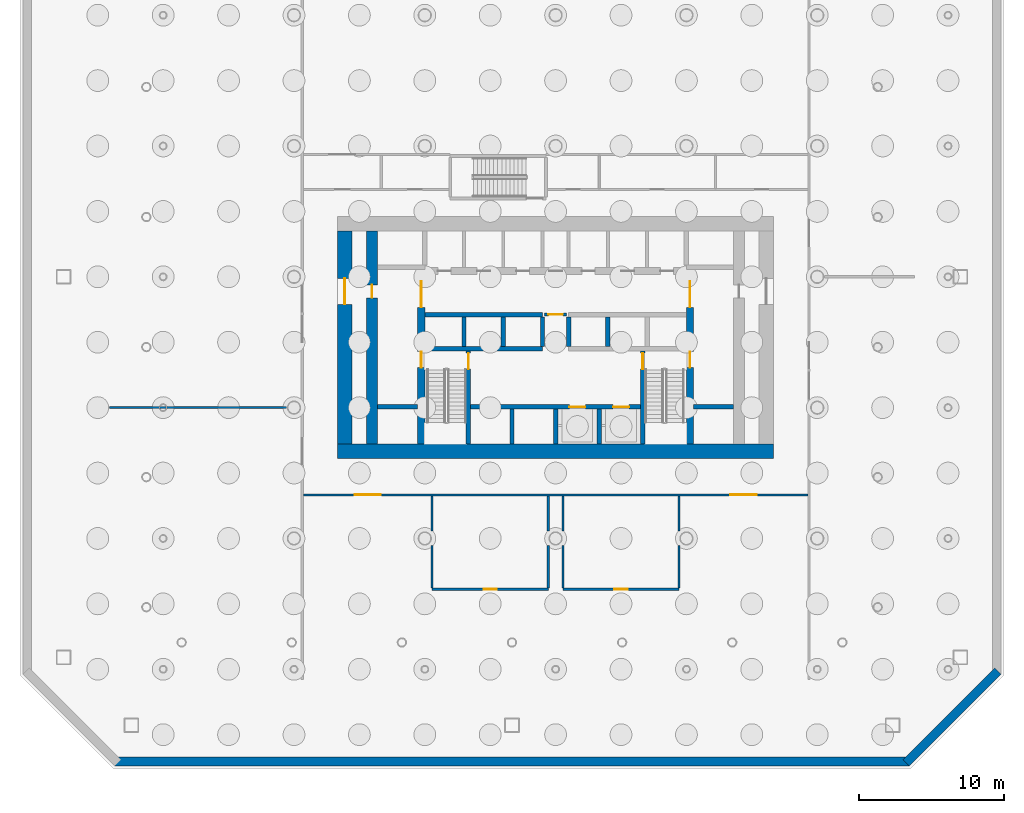
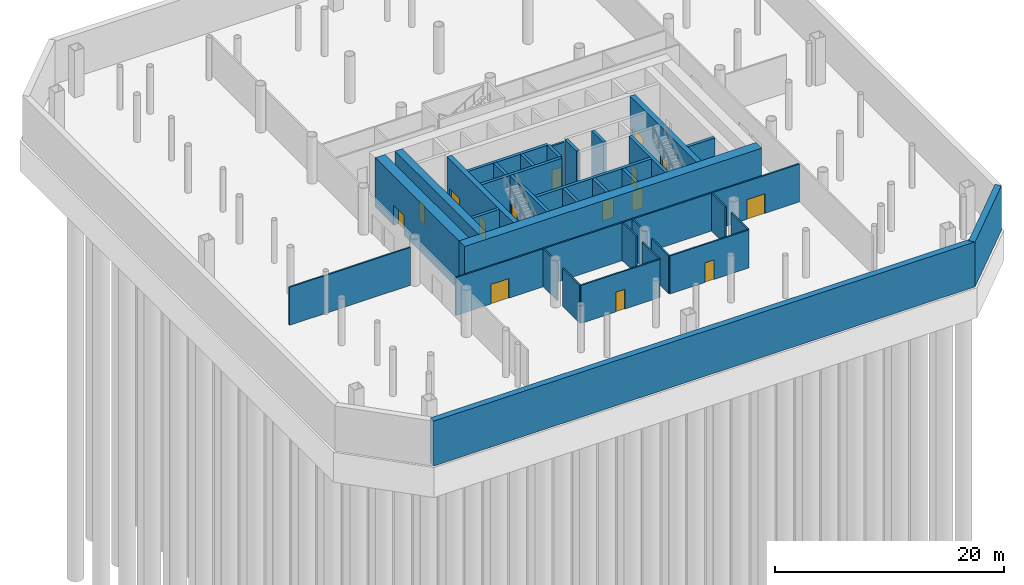
# One storey, part 5 of 10: 35 walls, 15 doors, 15 openings.
"""IFC4 building model written with IfcOpenShell, lengths in metres."""

from ifc_helpers import new_model, si_unit, direction, frame, frame_2d, origin, place, context, subcontext, project, spatial, rectangle, extrude, material, layer, layer_set, type_object, element, fill, save


model = new_model("IFC4")

# Units and contexts
model_context = context("Model", 3, precision=1e-05, world=origin(), true_north=direction((0.0, 1.0)))
body_context = subcontext(model_context, "Body", "Model", "MODEL_VIEW")
ifc_project = project(units=[si_unit("LENGTHUNIT", "METRE"), si_unit("AREAUNIT", "SQUARE_METRE"), si_unit("VOLUMEUNIT", "CUBIC_METRE"), si_unit("PLANEANGLEUNIT", "RADIAN"), si_unit("MASSUNIT", "GRAM", prefix="KILO")], contexts=[model_context])

# Site, building, storey
site_placement = place(None, origin())
site = spatial("IfcSite", under=ifc_project, at=site_placement, CompositionType="ELEMENT")
building_placement = place(site_placement, origin())
building = spatial("IfcBuilding", under=site, at=building_placement, Name="Tskaro Facet Tower", CompositionType="ELEMENT")
storey_placement = place(building_placement, frame((0.0, 0.0, -5.0)))
storey = spatial("IfcBuildingStorey", under=building, at=storey_placement, Name="B1", CompositionType="ELEMENT", Elevation=-5.0)

# Walls
ifc_material_1 = material(Name="Concrete C40/50", Category="concrete")
ifc_layer_1 = layer(ifc_material_1, 0.60009765625, Name="Concrete C40/50")
ifc_layer_set_1 = layer_set([ifc_layer_1], Name="Concrete C40/50")
wall_type_1 = type_object("IfcWallType", Name="Basement retaining wall", PredefinedType="SOLIDWALL", material=ifc_layer_set_1)
wall_1_placement = place(storey_placement, frame((-30.341064453125, -33.35009765625, -0.25), z_axis=(0.0, 0.0, 1.0), x_axis=(1.0, 0.0, 0.0)))
element("IfcWall", 1, at=wall_1_placement, inside=storey, type_object=wall_type_1, Name="Basement retaining wall BW1", PredefinedType="SOLIDWALL", context=body_context, shape_type="SweptSolid", body=[
    extrude(rectangle(XDim=54.68212890625, YDim=0.60009765625, at=frame_2d((27.341064453125, 0.0))), origin(), (0.0, 0.0, 1.0), 4.800048828125),
])
wall_2_placement = place(storey_placement, frame((24.12890625, -33.43798828125, -0.25), z_axis=(0.0, 0.0, 1.0), x_axis=(0.707106781187, 0.707106781187, 0.0)))
element("IfcWall", 2, at=wall_2_placement, inside=storey, type_object=wall_type_1, Name="Basement retaining wall BW2", PredefinedType="SOLIDWALL", context=body_context, shape_type="SweptSolid", body=[
    extrude(rectangle(XDim=8.92236328125, YDim=0.60009765625, at=frame_2d((4.461181640625, 0.0))), origin(), (0.0, 0.0, 1.0), 4.800048828125),
])
ifc_material_2 = material(Name="Concrete C60/75", Category="concrete")
ifc_layer_2 = layer(ifc_material_2, 0.300048828125, Name="Concrete C60/75")
ifc_layer_set_2 = layer_set([ifc_layer_2], Name="Concrete C60/75")
wall_type_2 = type_object("IfcWallType", Name="CORE-SHAFT", PredefinedType="SHEAR", material=ifc_layer_set_2)
wall_3_placement = place(storey_placement, frame((-12.25, -8.949951171875, 0.0), z_axis=(0.0, 0.0, 1.0), x_axis=(1.0, 0.0, 0.0)))
element("IfcWall", 3, at=wall_3_placement, inside=storey, type_object=wall_type_2, Name="Shaft wall W005", PredefinedType="SHEAR", context=body_context, shape_type="SweptSolid", body=[
    extrude(rectangle(XDim=2.75, YDim=0.300048828125, at=frame_2d((1.375, 0.0))), origin(), (0.0, 0.0, 1.0), 5.0),
])

# Wall, openings, doors
wall_4_placement = place(storey_placement, frame((-5.85009765625, -8.949951171875, 0.0), z_axis=(0.0, 0.0, 1.0), x_axis=(1.0, 0.0, 0.0)))
wall_4 = element("IfcWall", 4, at=wall_4_placement, inside=storey, type_object=wall_type_2, Name="Shaft wall W006", PredefinedType="SHEAR", context=body_context, shape_type="SweptSolid", body=[
    extrude(rectangle(XDim=11.7001953125, YDim=0.300048828125, at=frame_2d((5.85009765625, 0.0))), origin(), (0.0, 0.0, 1.0), 5.0),
])
opening_1_placement = place(wall_4_placement, frame((6.800048828125, 0.0, 0.0)))
opening_1 = element("IfcOpeningElement", 5, at=opening_1_placement, cuts=wall_4, Name="Opening LD-SV1", PredefinedType="OPENING", context=body_context, shape_type="SweptSolid", body=[
    extrude(rectangle(XDim=1.10009765625, YDim=2.10009765625, at=frame_2d((0.550048828125, 1.050048828125))), frame((0.0, 0.159912109375, 0.0), z_axis=(0.0, -1.0, 0.0), x_axis=(1.0, 0.0, 0.0)), (0.0, 0.0, 1.0), 0.320068359375),
])
opening_2_placement = place(wall_4_placement, frame((9.800048828125, 0.0, 0.0)))
opening_2 = element("IfcOpeningElement", 6, at=opening_2_placement, cuts=wall_4, Name="Opening LD-SV2", PredefinedType="OPENING", context=body_context, shape_type="SweptSolid", body=[
    extrude(rectangle(XDim=1.10009765625, YDim=2.10009765625, at=frame_2d((0.550048828125, 1.050048828125))), frame((0.0, 0.159912109375, 0.0), z_axis=(0.0, -1.0, 0.0), x_axis=(1.0, 0.0, 0.0)), (0.0, 0.0, 1.0), 0.320068359375),
])
ifc_material_3 = material(Name="Stainless steel", Category="steel")
door_type_1 = type_object("IfcDoorType", Name="D-LANDING", OperationType="NOTDEFINED", PredefinedType="DOOR", material=ifc_material_3)
door_1_placement = place(opening_1_placement, origin())
door_1 = element("IfcDoor", 7, at=door_1_placement, inside=storey, type_object=door_type_1, Name="Landing door SV1", OperationType="DOUBLE_DOOR_SLIDING", OverallHeight=2.10009765625, OverallWidth=1.10009765625, PredefinedType="DOOR", context=body_context, shape_type="SweptSolid", body=[
    extrude(rectangle(XDim=1.10009765625, YDim=2.10009765625, at=frame_2d((0.550048828125, 1.050048828125))), frame((0.0, 0.02490234375, 0.0), z_axis=(0.0, -1.0, 0.0), x_axis=(1.0, 0.0, 0.0)), (0.0, 0.0, 1.0), 0.050048828125),
])
fill(opening_1, door_1)
door_2_placement = place(opening_2_placement, origin())
door_2 = element("IfcDoor", 8, at=door_2_placement, inside=storey, type_object=door_type_1, Name="Landing door SV2", OperationType="DOUBLE_DOOR_SLIDING", OverallHeight=2.10009765625, OverallWidth=1.10009765625, PredefinedType="DOOR", context=body_context, shape_type="SweptSolid", body=[
    extrude(rectangle(XDim=1.10009765625, YDim=2.10009765625, at=frame_2d((0.550048828125, 1.050048828125))), frame((0.0, 0.02490234375, 0.0), z_axis=(0.0, -1.0, 0.0), x_axis=(1.0, 0.0, 0.0)), (0.0, 0.0, 1.0), 0.050048828125),
])
fill(opening_2, door_2)

# Walls
wall_5_placement = place(storey_placement, frame((9.5, -8.949951171875, 0.0), z_axis=(0.0, 0.0, 1.0), x_axis=(1.0, 0.0, 0.0)))
element("IfcWall", 9, at=wall_5_placement, inside=storey, type_object=wall_type_2, Name="Shaft wall W007", PredefinedType="SHEAR", context=body_context, shape_type="SweptSolid", body=[
    extrude(rectangle(XDim=2.75, YDim=0.300048828125, at=frame_2d((1.375, 0.0))), origin(), (0.0, 0.0, 1.0), 5.0),
])
for number, where, z_axis, x_axis, name in (
    (10, (-9.0, -4.949951171875, 0.0), (0.0, 0.0, 1.0), (1.0, 0.0, 0.0), "Shaft wall W008"),
    (11, (-9.0, -2.60009765625, 0.0), (0.0, 0.0, 1.0), (1.0, 0.0, 0.0), "Shaft wall W010"),
):
    element("IfcWall", number, at=place(storey_placement, frame(where, z_axis=z_axis, x_axis=x_axis)), inside=storey, type_object=wall_type_2, Name=name, PredefinedType="SHEAR", context=body_context, shape_type="SweptSolid", body=[
        extrude(rectangle(XDim=8.10009765625, YDim=0.300048828125, at=frame_2d((4.050048828125, 0.0))), origin(), (0.0, 0.0, 1.0), 5.0),
    ])
wall_6_placement = place(storey_placement, frame((-6.300048828125, -4.800048828125, 0.0), z_axis=(0.0, 0.0, 1.0), x_axis=(0.0, 1.0, 0.0)))
element("IfcWall", 12, at=wall_6_placement, inside=storey, type_object=wall_type_2, Name="Shaft wall W028", PredefinedType="SHEAR", context=body_context, shape_type="SweptSolid", body=[
    extrude(rectangle(XDim=2.050048828125, YDim=0.300048828125, at=frame_2d((1.02490234375, 0.0))), origin(), (0.0, 0.0, 1.0), 5.0),
])

# Wall, opening, door
wall_7_placement = place(storey_placement, frame((-6.0, -11.5, 0.0), z_axis=(0.0, 0.0, 1.0), x_axis=(0.0, 1.0, 0.0)))
wall_7 = element("IfcWall", 13, at=wall_7_placement, inside=storey, type_object=wall_type_2, Name="Shaft wall W030", PredefinedType="SHEAR", context=body_context, shape_type="SweptSolid", body=[
    extrude(rectangle(XDim=6.39990234375, YDim=0.300048828125, at=frame_2d((3.199951171875, 0.0))), origin(), (0.0, 0.0, 1.0), 5.0),
])
opening_3_placement = place(wall_7_placement, frame((5.14990234375, 0.0, 0.0)))
opening_3 = element("IfcOpeningElement", 14, at=opening_3_placement, cuts=wall_7, Name="Opening ST-1-D1", PredefinedType="OPENING", context=body_context, shape_type="SweptSolid", body=[
    extrude(rectangle(XDim=1.10009765625, YDim=2.10009765625, at=frame_2d((0.550048828125, 1.050048828125))), frame((0.0, 0.159912109375, 0.0), z_axis=(0.0, -1.0, 0.0), x_axis=(1.0, 0.0, 0.0)), (0.0, 0.0, 1.0), 0.320068359375),
])
ifc_material_4 = material(Name="Steel", Category="steel")
door_type_2 = type_object("IfcDoorType", Name="D-STAIR", OperationType="NOTDEFINED", PredefinedType="DOOR", material=ifc_material_4)
door_3_placement = place(opening_3_placement, origin())
door_3 = element("IfcDoor", 15, at=door_3_placement, inside=storey, type_object=door_type_2, Name="Stair door 1", OperationType="SINGLE_SWING_LEFT", OverallHeight=2.10009765625, OverallWidth=1.10009765625, PredefinedType="DOOR", context=body_context, shape_type="SweptSolid", body=[
    extrude(rectangle(XDim=1.10009765625, YDim=2.10009765625, at=frame_2d((0.550048828125, 1.050048828125))), frame((0.0, 0.02490234375, 0.0), z_axis=(0.0, -1.0, 0.0), x_axis=(1.0, 0.0, 0.0)), (0.0, 0.0, 1.0), 0.050048828125),
])
fill(opening_3, door_3)

# Walls
wall_8_placement = place(storey_placement, frame((-3.60009765625, -4.800048828125, 0.0), z_axis=(0.0, 0.0, 1.0), x_axis=(0.0, 1.0, 0.0)))
element("IfcWall", 16, at=wall_8_placement, inside=storey, type_object=wall_type_2, Name="Shaft wall W031", PredefinedType="SHEAR", context=body_context, shape_type="SweptSolid", body=[
    extrude(rectangle(XDim=2.050048828125, YDim=0.300048828125, at=frame_2d((1.02490234375, 0.0))), origin(), (0.0, 0.0, 1.0), 5.0),
])
wall_9_placement = place(storey_placement, frame((-3.0, -11.5, 0.0), z_axis=(0.0, 0.0, 1.0), x_axis=(0.0, 1.0, 0.0)))
element("IfcWall", 17, at=wall_9_placement, inside=storey, type_object=wall_type_2, Name="Shaft wall W033", PredefinedType="SHEAR", context=body_context, shape_type="SweptSolid", body=[
    extrude(rectangle(XDim=2.39990234375, YDim=0.300048828125, at=frame_2d((1.199951171875, 0.0))), origin(), (0.0, 0.0, 1.0), 5.0),
])
wall_10_placement = place(storey_placement, frame((-0.89990234375, -4.800048828125, 0.0), z_axis=(0.0, 0.0, 1.0), x_axis=(0.0, 1.0, 0.0)))
element("IfcWall", 18, at=wall_10_placement, inside=storey, type_object=wall_type_2, Name="Shaft wall W034", PredefinedType="SHEAR", context=body_context, shape_type="SweptSolid", body=[
    extrude(rectangle(XDim=2.050048828125, YDim=0.300048828125, at=frame_2d((1.02490234375, 0.0))), origin(), (0.0, 0.0, 1.0), 5.0),
])
wall_11_placement = place(storey_placement, frame((0.0, -11.5, 0.0), z_axis=(0.0, 0.0, 1.0), x_axis=(0.0, 1.0, 0.0)))
element("IfcWall", 19, at=wall_11_placement, inside=storey, type_object=wall_type_2, Name="Shaft wall W039", PredefinedType="SHEAR", context=body_context, shape_type="SweptSolid", body=[
    extrude(rectangle(XDim=2.39990234375, YDim=0.300048828125, at=frame_2d((1.199951171875, 0.0))), origin(), (0.0, 0.0, 1.0), 5.0),
])
wall_12_placement = place(storey_placement, frame((0.89990234375, -4.800048828125, 0.0), z_axis=(0.0, 0.0, 1.0), x_axis=(0.0, 1.0, 0.0)))
element("IfcWall", 20, at=wall_12_placement, inside=storey, type_object=wall_type_2, Name="Shaft wall W042", PredefinedType="SHEAR", context=body_context, shape_type="SweptSolid", body=[
    extrude(rectangle(XDim=2.050048828125, YDim=0.300048828125, at=frame_2d((1.02490234375, 0.0))), origin(), (0.0, 0.0, 1.0), 5.0),
])
wall_13_placement = place(storey_placement, frame((3.0, -11.5, 0.0), z_axis=(0.0, 0.0, 1.0), x_axis=(0.0, 1.0, 0.0)))
element("IfcWall", 21, at=wall_13_placement, inside=storey, type_object=wall_type_2, Name="Shaft wall W044", PredefinedType="SHEAR", context=body_context, shape_type="SweptSolid", body=[
    extrude(rectangle(XDim=2.39990234375, YDim=0.300048828125, at=frame_2d((1.199951171875, 0.0))), origin(), (0.0, 0.0, 1.0), 5.0),
])
wall_14_placement = place(storey_placement, frame((3.60009765625, -4.800048828125, 0.0), z_axis=(0.0, 0.0, 1.0), x_axis=(0.0, 1.0, 0.0)))
element("IfcWall", 22, at=wall_14_placement, inside=storey, type_object=wall_type_2, Name="Shaft wall W046", PredefinedType="SHEAR", context=body_context, shape_type="SweptSolid", body=[
    extrude(rectangle(XDim=2.050048828125, YDim=0.300048828125, at=frame_2d((1.02490234375, 0.0))), origin(), (0.0, 0.0, 1.0), 5.0),
])

# Wall, opening, door
wall_15_placement = place(storey_placement, frame((6.0, -5.10009765625, 0.0), z_axis=(0.0, 0.0, 1.0), x_axis=(0.0, -1.0, 0.0)))
wall_15 = element("IfcWall", 23, at=wall_15_placement, inside=storey, type_object=wall_type_2, Name="Shaft wall W048", PredefinedType="SHEAR", context=body_context, shape_type="SweptSolid", body=[
    extrude(rectangle(XDim=6.39990234375, YDim=0.300048828125, at=frame_2d((3.199951171875, 0.0))), origin(), (0.0, 0.0, 1.0), 5.0),
])
opening_4_placement = place(wall_15_placement, frame((0.14990234375, 0.0, 0.0)))
opening_4 = element("IfcOpeningElement", 24, at=opening_4_placement, cuts=wall_15, Name="Opening ST-2-D1", PredefinedType="OPENING", context=body_context, shape_type="SweptSolid", body=[
    extrude(rectangle(XDim=1.10009765625, YDim=2.10009765625, at=frame_2d((0.550048828125, 1.050048828125))), frame((0.0, 0.159912109375, 0.0), z_axis=(0.0, -1.0, 0.0), x_axis=(1.0, 0.0, 0.0)), (0.0, 0.0, 1.0), 0.320068359375),
])
door_4_placement = place(opening_4_placement, origin())
door_4 = element("IfcDoor", 25, at=door_4_placement, inside=storey, type_object=door_type_2, Name="Stair door 2", OperationType="SINGLE_SWING_RIGHT", OverallHeight=2.10009765625, OverallWidth=1.10009765625, PredefinedType="DOOR", context=body_context, shape_type="SweptSolid", body=[
    extrude(rectangle(XDim=1.10009765625, YDim=2.10009765625, at=frame_2d((0.550048828125, 1.050048828125))), frame((0.0, 0.02490234375, 0.0), z_axis=(0.0, -1.0, 0.0), x_axis=(1.0, 0.0, 0.0)), (0.0, 0.0, 1.0), 0.050048828125),
])
fill(opening_4, door_4)

ifc_material_5 = material(Name="Concrete C20/25", Category="concrete")
ifc_layer_3 = layer(ifc_material_5, 0.199951171875, Name="Concrete C20/25")
ifc_layer_set_3 = layer_set([ifc_layer_3], Name="Concrete C20/25")
wall_type_3 = type_object("IfcWallType", Name="CORE-WALL", PredefinedType="SOLIDWALL", material=ifc_layer_set_3)
wall_16_placement = place(storey_placement, frame((0.75, -2.60009765625, 0.0), z_axis=(0.0, 0.0, 1.0), x_axis=(-1.0, 0.0, 0.0)))
wall_16 = element("IfcWall", 26, at=wall_16_placement, inside=storey, type_object=wall_type_3, Name="Core room wall W011", PredefinedType="SOLIDWALL", context=body_context, shape_type="SweptSolid", body=[
    extrude(rectangle(XDim=1.5, YDim=0.199951171875, at=frame_2d((0.75, 0.0))), origin(), (0.0, 0.0, 1.0), 4.699951171875),
])
opening_5_placement = place(wall_16_placement, frame((0.25, 0.0, 0.0)))
opening_5 = element("IfcOpeningElement", 27, at=opening_5_placement, cuts=wall_16, Name="Opening FL-D1", PredefinedType="OPENING", context=body_context, shape_type="SweptSolid", body=[
    extrude(rectangle(XDim=1.0, YDim=2.10009765625, at=frame_2d((0.5, 1.050048828125))), frame((0.0, 0.10986328125, 0.0), z_axis=(0.0, -1.0, 0.0), x_axis=(1.0, 0.0, 0.0)), (0.0, 0.0, 1.0), 0.219970703125),
])
door_type_3 = type_object("IfcDoorType", Name="D-LOBBY", OperationType="NOTDEFINED", PredefinedType="DOOR", material=ifc_material_4)
door_5_placement = place(opening_5_placement, origin())
door_5 = element("IfcDoor", 28, at=door_5_placement, inside=storey, type_object=door_type_3, Name="Lobby door FL", OperationType="SINGLE_SWING_RIGHT", OverallHeight=2.10009765625, OverallWidth=1.0, PredefinedType="DOOR", context=body_context, shape_type="SweptSolid", body=[
    extrude(rectangle(XDim=1.0, YDim=2.10009765625, at=frame_2d((0.5, 1.050048828125))), frame((0.0, 0.02490234375, 0.0), z_axis=(0.0, -1.0, 0.0), x_axis=(1.0, 0.0, 0.0)), (0.0, 0.0, 1.0), 0.050048828125),
])
fill(opening_5, door_5)

# Wall
ifc_layer_4 = layer(ifc_material_2, 1.0, Name="Concrete C60/75")
ifc_layer_set_4 = layer_set([ifc_layer_4], Name="Concrete C60/75")
wall_type_4 = type_object("IfcWallType", Name="Core wall 1000", PredefinedType="SHEAR", material=ifc_layer_set_4)
wall_17_placement = place(storey_placement, frame((-15.0, -12.0, -0.25), z_axis=(0.0, 0.0, 1.0), x_axis=(1.0, 0.0, 0.0)))
element("IfcWall", 29, at=wall_17_placement, inside=storey, type_object=wall_type_4, Name="Core wall CW-Z1S", PredefinedType="SHEAR", context=body_context, shape_type="SweptSolid", body=[
    extrude(rectangle(XDim=30.0, YDim=1.0, at=frame_2d((15.0, 0.0))), origin(), (0.0, 0.0, 1.0), 5.25),
])

# Wall, opening, door
wall_18_placement = place(storey_placement, frame((-14.5, -11.5, -0.25), z_axis=(0.0, 0.0, 1.0), x_axis=(0.0, 1.0, 0.0)))
wall_18 = element("IfcWall", 30, at=wall_18_placement, inside=storey, type_object=wall_type_4, Name="Core wall CW-Z1W", PredefinedType="SHEAR", context=body_context, shape_type="SweptSolid", body=[
    extrude(rectangle(XDim=14.64990234375, YDim=1.0, at=frame_2d((7.324951171875, 0.0))), origin(), (0.0, 0.0, 1.0), 5.25),
])
opening_6_placement = place(wall_18_placement, frame((9.60009765625, 0.0, 0.0)))
opening_6 = element("IfcOpeningElement", 31, at=opening_6_placement, cuts=wall_18, Name="Opening B1-D14", PredefinedType="OPENING", context=body_context, shape_type="SweptSolid", body=[
    extrude(rectangle(XDim=1.800048828125, YDim=2.10009765625, at=frame_2d((0.89990234375, 1.050048828125))), frame((0.0, 0.510009765625, 0.0), z_axis=(0.0, -1.0, 0.0), x_axis=(1.0, 0.0, 0.0)), (0.0, 0.0, 1.0), 1.02001953125),
])
door_type_4 = type_object("IfcDoorType", Name="D-CORE-PAIR", OperationType="NOTDEFINED", PredefinedType="DOOR", material=ifc_material_4)
door_6_placement = place(opening_6_placement, origin())
door_6 = element("IfcDoor", 32, at=door_6_placement, inside=storey, type_object=door_type_4, Name="Door B1-D14", OperationType="DOUBLE_DOOR_SINGLE_SWING", OverallHeight=2.10009765625, OverallWidth=1.800048828125, PredefinedType="DOOR", context=body_context, shape_type="SweptSolid", body=[
    extrude(rectangle(XDim=1.800048828125, YDim=2.10009765625, at=frame_2d((0.89990234375, 1.050048828125))), frame((0.0, 0.02490234375, 0.0), z_axis=(0.0, -1.0, 0.0), x_axis=(1.0, 0.0, 0.0)), (0.0, 0.0, 1.0), 0.050048828125),
])
fill(opening_6, door_6)

# Wall, openings, doors
ifc_layer_5 = layer(ifc_material_1, 0.5, Name="Concrete C40/50")
ifc_layer_set_5 = layer_set([ifc_layer_5], Name="Concrete C40/50")
wall_type_5 = type_object("IfcWallType", Name="Core wall 500", PredefinedType="SHEAR", material=ifc_layer_set_5)
wall_19_placement = place(storey_placement, frame((-9.25, -11.5, -0.25), z_axis=(0.0, 0.0, 1.0), x_axis=(0.0, 1.0, 0.0)))
wall_19 = element("IfcWall", 33, at=wall_19_placement, inside=storey, type_object=wall_type_5, Name="Core wall CW-Z3W", PredefinedType="SHEAR", context=body_context, shape_type="SweptSolid", body=[
    extrude(rectangle(XDim=11.64990234375, YDim=0.5, at=frame_2d((5.824951171875, 0.0))), origin(), (0.0, 0.0, 1.0), 5.25),
])
opening_7_placement = place(wall_19_placement, frame((9.39990234375, 0.0, 0.0)))
opening_7 = element("IfcOpeningElement", 34, at=opening_7_placement, cuts=wall_19, Name="Opening B1-D12", PredefinedType="OPENING", context=body_context, shape_type="SweptSolid", body=[
    extrude(rectangle(XDim=1.800048828125, YDim=2.10009765625, at=frame_2d((0.89990234375, 1.050048828125))), frame((0.0, 0.260009765625, 0.0), z_axis=(0.0, -1.0, 0.0), x_axis=(1.0, 0.0, 0.0)), (0.0, 0.0, 1.0), 0.52001953125),
])
opening_8_placement = place(wall_19_placement, frame((5.25, 0.0, 0.0)))
opening_8 = element("IfcOpeningElement", 35, at=opening_8_placement, cuts=wall_19, Name="Opening ST-1-D2", PredefinedType="OPENING", context=body_context, shape_type="SweptSolid", body=[
    extrude(rectangle(XDim=1.10009765625, YDim=2.10009765625, at=frame_2d((0.550048828125, 1.050048828125))), frame((0.0, 0.260009765625, 0.0), z_axis=(0.0, -1.0, 0.0), x_axis=(1.0, 0.0, 0.0)), (0.0, 0.0, 1.0), 0.52001953125),
])
door_7_placement = place(opening_7_placement, origin())
door_7 = element("IfcDoor", 36, at=door_7_placement, inside=storey, type_object=door_type_4, Name="Door B1-D12", OperationType="DOUBLE_DOOR_SINGLE_SWING", OverallHeight=2.10009765625, OverallWidth=1.800048828125, PredefinedType="DOOR", context=body_context, shape_type="SweptSolid", body=[
    extrude(rectangle(XDim=1.800048828125, YDim=2.10009765625, at=frame_2d((0.89990234375, 1.050048828125))), frame((0.0, 0.02490234375, 0.0), z_axis=(0.0, -1.0, 0.0), x_axis=(1.0, 0.0, 0.0)), (0.0, 0.0, 1.0), 0.050048828125),
])
fill(opening_7, door_7)
door_8_placement = place(opening_8_placement, origin())
door_8 = element("IfcDoor", 37, at=door_8_placement, inside=storey, type_object=door_type_2, Name="Stair door 1 west", OperationType="SINGLE_SWING_LEFT", OverallHeight=2.10009765625, OverallWidth=1.10009765625, PredefinedType="DOOR", context=body_context, shape_type="SweptSolid", body=[
    extrude(rectangle(XDim=1.10009765625, YDim=2.10009765625, at=frame_2d((0.550048828125, 1.050048828125))), frame((0.0, 0.02490234375, 0.0), z_axis=(0.0, -1.0, 0.0), x_axis=(1.0, 0.0, 0.0)), (0.0, 0.0, 1.0), 0.050048828125),
])
fill(opening_8, door_8)

wall_20_placement = place(storey_placement, frame((9.25, -11.5, -0.25), z_axis=(0.0, 0.0, 1.0), x_axis=(0.0, 1.0, 0.0)))
wall_20 = element("IfcWall", 38, at=wall_20_placement, inside=storey, type_object=wall_type_5, Name="Core wall CW-Z3E", PredefinedType="SHEAR", context=body_context, shape_type="SweptSolid", body=[
    extrude(rectangle(XDim=11.64990234375, YDim=0.5, at=frame_2d((5.824951171875, 0.0))), origin(), (0.0, 0.0, 1.0), 5.25),
])
opening_9_placement = place(wall_20_placement, frame((9.39990234375, 0.0, 0.0)))
opening_9 = element("IfcOpeningElement", 39, at=opening_9_placement, cuts=wall_20, Name="Opening B1-D13", PredefinedType="OPENING", context=body_context, shape_type="SweptSolid", body=[
    extrude(rectangle(XDim=1.800048828125, YDim=2.10009765625, at=frame_2d((0.89990234375, 1.050048828125))), frame((0.0, 0.260009765625, 0.0), z_axis=(0.0, -1.0, 0.0), x_axis=(1.0, 0.0, 0.0)), (0.0, 0.0, 1.0), 0.52001953125),
])
opening_10_placement = place(wall_20_placement, frame((5.25, 0.0, 0.0)))
opening_10 = element("IfcOpeningElement", 40, at=opening_10_placement, cuts=wall_20, Name="Opening ST-2-D2", PredefinedType="OPENING", context=body_context, shape_type="SweptSolid", body=[
    extrude(rectangle(XDim=1.10009765625, YDim=2.10009765625, at=frame_2d((0.550048828125, 1.050048828125))), frame((0.0, 0.260009765625, 0.0), z_axis=(0.0, -1.0, 0.0), x_axis=(1.0, 0.0, 0.0)), (0.0, 0.0, 1.0), 0.52001953125),
])
door_9_placement = place(opening_9_placement, origin())
door_9 = element("IfcDoor", 41, at=door_9_placement, inside=storey, type_object=door_type_4, Name="Door B1-D13", OperationType="DOUBLE_DOOR_SINGLE_SWING", OverallHeight=2.10009765625, OverallWidth=1.800048828125, PredefinedType="DOOR", context=body_context, shape_type="SweptSolid", body=[
    extrude(rectangle(XDim=1.800048828125, YDim=2.10009765625, at=frame_2d((0.89990234375, 1.050048828125))), frame((0.0, 0.02490234375, 0.0), z_axis=(0.0, -1.0, 0.0), x_axis=(1.0, 0.0, 0.0)), (0.0, 0.0, 1.0), 0.050048828125),
])
fill(opening_9, door_9)
door_10_placement = place(opening_10_placement, origin())
door_10 = element("IfcDoor", 42, at=door_10_placement, inside=storey, type_object=door_type_2, Name="Stair door 2 east", OperationType="SINGLE_SWING_LEFT", OverallHeight=2.10009765625, OverallWidth=1.10009765625, PredefinedType="DOOR", context=body_context, shape_type="SweptSolid", body=[
    extrude(rectangle(XDim=1.10009765625, YDim=2.10009765625, at=frame_2d((0.550048828125, 1.050048828125))), frame((0.0, 0.02490234375, 0.0), z_axis=(0.0, -1.0, 0.0), x_axis=(1.0, 0.0, 0.0)), (0.0, 0.0, 1.0), 0.050048828125),
])
fill(opening_10, door_10)

# Wall, opening, door
ifc_material_6 = material(Name="Concrete C50/60", Category="concrete")
ifc_layer_6 = layer(ifc_material_6, 0.75, Name="Concrete C50/60")
ifc_layer_set_6 = layer_set([ifc_layer_6], Name="Concrete C50/60")
wall_type_6 = type_object("IfcWallType", Name="Core wall 750", PredefinedType="SHEAR", material=ifc_layer_set_6)
wall_21_placement = place(storey_placement, frame((-12.625, -11.5, -0.25), z_axis=(0.0, 0.0, 1.0), x_axis=(0.0, 1.0, 0.0)))
wall_21 = element("IfcWall", 43, at=wall_21_placement, inside=storey, type_object=wall_type_6, Name="Core wall CW-Z2W", PredefinedType="SHEAR", context=body_context, shape_type="SweptSolid", body=[
    extrude(rectangle(XDim=14.64990234375, YDim=0.75, at=frame_2d((7.324951171875, 0.0))), origin(), (0.0, 0.0, 1.0), 5.25),
])
opening_11_placement = place(wall_21_placement, frame((10.050048828125, 0.0, 0.0)))
opening_11 = element("IfcOpeningElement", 44, at=opening_11_placement, cuts=wall_21, Name="Opening B1-D15", PredefinedType="OPENING", context=body_context, shape_type="SweptSolid", body=[
    extrude(rectangle(XDim=0.89990234375, YDim=2.10009765625, at=frame_2d((0.449951171875, 1.050048828125))), frame((0.0, 0.385009765625, 0.0), z_axis=(0.0, -1.0, 0.0), x_axis=(1.0, 0.0, 0.0)), (0.0, 0.0, 1.0), 0.77001953125),
])
ifc_material_7 = material(Name="Timber", Category="wood")
door_type_5 = type_object("IfcDoorType", Name="D-ROOM", OperationType="NOTDEFINED", PredefinedType="DOOR", material=ifc_material_7)
door_11_placement = place(opening_11_placement, origin())
door_11 = element("IfcDoor", 45, at=door_11_placement, inside=storey, type_object=door_type_5, Name="Door B1-D15", OperationType="SINGLE_SWING_LEFT", OverallHeight=2.10009765625, OverallWidth=0.89990234375, PredefinedType="DOOR", context=body_context, shape_type="SweptSolid", body=[
    extrude(rectangle(XDim=0.89990234375, YDim=2.10009765625, at=frame_2d((0.449951171875, 1.050048828125))), frame((0.0, 0.02490234375, 0.0), z_axis=(0.0, -1.0, 0.0), x_axis=(1.0, 0.0, 0.0)), (0.0, 0.0, 1.0), 0.050048828125),
])
fill(opening_11, door_11)

ifc_material_8 = material(Name="Gypsum board on steel studs", Category="steel")
ifc_layer_7 = layer(ifc_material_8, 0.14990234375, Name="Gypsum board on steel studs")
ifc_layer_set_7 = layer_set([ifc_layer_7], Name="Gypsum board on steel studs")
wall_type_7 = type_object("IfcWallType", Name="PART-CORR", PredefinedType="PARTITIONING", material=ifc_layer_set_7)
wall_22_placement = place(storey_placement, frame((-8.5, -21.5, 0.0), z_axis=(0.0, 0.0, 1.0), x_axis=(1.0, 0.0, 0.0)))
wall_22 = element("IfcWall", 46, at=wall_22_placement, inside=storey, type_object=wall_type_7, Name="Corridor wall W001", PredefinedType="PARTITIONING", context=body_context, shape_type="SweptSolid", body=[
    extrude(rectangle(XDim=8.0, YDim=0.14990234375, at=frame_2d((4.0, 0.0))), origin(), (0.0, 0.0, 1.0), 4.06005859375),
])
opening_12_placement = place(wall_22_placement, frame((3.550048828125, 0.0, 0.0)))
opening_12 = element("IfcOpeningElement", 47, at=opening_12_placement, cuts=wall_22, Name="Opening B1-D01", PredefinedType="OPENING", context=body_context, shape_type="SweptSolid", body=[
    extrude(rectangle(XDim=0.89990234375, YDim=2.10009765625, at=frame_2d((0.449951171875, 1.050048828125))), frame((0.0, 0.0849609375, 0.0), z_axis=(0.0, -1.0, 0.0), x_axis=(1.0, 0.0, 0.0)), (0.0, 0.0, 1.0), 0.169921875),
])
door_12_placement = place(opening_12_placement, origin())
door_12 = element("IfcDoor", 48, at=door_12_placement, inside=storey, type_object=door_type_5, Name="Door B1-D01", OperationType="SINGLE_SWING_LEFT", OverallHeight=2.10009765625, OverallWidth=0.89990234375, PredefinedType="DOOR", context=body_context, shape_type="SweptSolid", body=[
    extrude(rectangle(XDim=0.89990234375, YDim=2.10009765625, at=frame_2d((0.449951171875, 1.050048828125))), frame((0.0, 0.02490234375, 0.0), z_axis=(0.0, -1.0, 0.0), x_axis=(1.0, 0.0, 0.0)), (0.0, 0.0, 1.0), 0.050048828125),
])
fill(opening_12, door_12)

wall_23_placement = place(storey_placement, frame((0.5, -21.5, 0.0), z_axis=(0.0, 0.0, 1.0), x_axis=(1.0, 0.0, 0.0)))
wall_23 = element("IfcWall", 49, at=wall_23_placement, inside=storey, type_object=wall_type_7, Name="Corridor wall W002", PredefinedType="PARTITIONING", context=body_context, shape_type="SweptSolid", body=[
    extrude(rectangle(XDim=8.0, YDim=0.14990234375, at=frame_2d((4.0, 0.0))), origin(), (0.0, 0.0, 1.0), 4.06005859375),
])
opening_13_placement = place(wall_23_placement, frame((3.550048828125, 0.0, 0.0)))
opening_13 = element("IfcOpeningElement", 50, at=opening_13_placement, cuts=wall_23, Name="Opening B1-D02", PredefinedType="OPENING", context=body_context, shape_type="SweptSolid", body=[
    extrude(rectangle(XDim=0.89990234375, YDim=2.10009765625, at=frame_2d((0.449951171875, 1.050048828125))), frame((0.0, 0.0849609375, 0.0), z_axis=(0.0, -1.0, 0.0), x_axis=(1.0, 0.0, 0.0)), (0.0, 0.0, 1.0), 0.169921875),
])
door_13_placement = place(opening_13_placement, origin())
door_13 = element("IfcDoor", 51, at=door_13_placement, inside=storey, type_object=door_type_5, Name="Door B1-D02", OperationType="SINGLE_SWING_LEFT", OverallHeight=2.10009765625, OverallWidth=0.89990234375, PredefinedType="DOOR", context=body_context, shape_type="SweptSolid", body=[
    extrude(rectangle(XDim=0.89990234375, YDim=2.10009765625, at=frame_2d((0.449951171875, 1.050048828125))), frame((0.0, 0.02490234375, 0.0), z_axis=(0.0, -1.0, 0.0), x_axis=(1.0, 0.0, 0.0)), (0.0, 0.0, 1.0), 0.050048828125),
])
fill(opening_13, door_13)

# Wall, openings, doors
wall_24_placement = place(storey_placement, frame((-17.35009765625, -15.0, 0.0), z_axis=(0.0, 0.0, 1.0), x_axis=(1.0, 0.0, 0.0)))
wall_24 = element("IfcWall", 52, at=wall_24_placement, inside=storey, type_object=wall_type_7, Name="Corridor wall W003", PredefinedType="PARTITIONING", context=body_context, shape_type="SweptSolid", body=[
    extrude(rectangle(XDim=34.7001953125, YDim=0.14990234375, at=frame_2d((17.35009765625, 0.0))), origin(), (0.0, 0.0, 1.0), 4.06005859375),
])
opening_14_placement = place(wall_24_placement, frame((3.52490234375, 0.0, 0.0)))
opening_14 = element("IfcOpeningElement", 53, at=opening_14_placement, cuts=wall_24, Name="Opening B1-D03", PredefinedType="OPENING", context=body_context, shape_type="SweptSolid", body=[
    extrude(rectangle(XDim=1.800048828125, YDim=2.10009765625, at=frame_2d((0.89990234375, 1.050048828125))), frame((0.0, 0.0849609375, 0.0), z_axis=(0.0, -1.0, 0.0), x_axis=(1.0, 0.0, 0.0)), (0.0, 0.0, 1.0), 0.169921875),
])
opening_15_placement = place(wall_24_placement, frame((29.375, 0.0, 0.0)))
opening_15 = element("IfcOpeningElement", 54, at=opening_15_placement, cuts=wall_24, Name="Opening B1-D04", PredefinedType="OPENING", context=body_context, shape_type="SweptSolid", body=[
    extrude(rectangle(XDim=1.800048828125, YDim=2.10009765625, at=frame_2d((0.89990234375, 1.050048828125))), frame((0.0, 0.0849609375, 0.0), z_axis=(0.0, -1.0, 0.0), x_axis=(1.0, 0.0, 0.0)), (0.0, 0.0, 1.0), 0.169921875),
])
ifc_material_9 = material(Name="Glass", Category="glass")
door_type_6 = type_object("IfcDoorType", Name="D-ENTRY-PAIR", OperationType="NOTDEFINED", PredefinedType="DOOR", material=ifc_material_9)
door_14_placement = place(opening_14_placement, origin())
door_14 = element("IfcDoor", 55, at=door_14_placement, inside=storey, type_object=door_type_6, Name="Door B1-D03", OperationType="DOUBLE_DOOR_SINGLE_SWING", OverallHeight=2.10009765625, OverallWidth=1.800048828125, PredefinedType="DOOR", context=body_context, shape_type="SweptSolid", body=[
    extrude(rectangle(XDim=1.800048828125, YDim=2.10009765625, at=frame_2d((0.89990234375, 1.050048828125))), frame((0.0, 0.02490234375, 0.0), z_axis=(0.0, -1.0, 0.0), x_axis=(1.0, 0.0, 0.0)), (0.0, 0.0, 1.0), 0.050048828125),
])
fill(opening_14, door_14)
door_15_placement = place(opening_15_placement, origin())
door_15 = element("IfcDoor", 56, at=door_15_placement, inside=storey, type_object=door_type_6, Name="Door B1-D04", OperationType="DOUBLE_DOOR_SINGLE_SWING", OverallHeight=2.10009765625, OverallWidth=1.800048828125, PredefinedType="DOOR", context=body_context, shape_type="SweptSolid", body=[
    extrude(rectangle(XDim=1.800048828125, YDim=2.10009765625, at=frame_2d((0.89990234375, 1.050048828125))), frame((0.0, 0.02490234375, 0.0), z_axis=(0.0, -1.0, 0.0), x_axis=(1.0, 0.0, 0.0)), (0.0, 0.0, 1.0), 0.050048828125),
])
fill(opening_15, door_15)

# Walls
wall_25_placement = place(storey_placement, frame((-30.699951171875, -9.0, 0.0), z_axis=(0.0, 0.0, 1.0), x_axis=(1.0, 0.0, 0.0)))
element("IfcWall", 57, at=wall_25_placement, inside=storey, type_object=wall_type_7, Name="Corridor wall W004", PredefinedType="PARTITIONING", context=body_context, shape_type="SweptSolid", body=[
    extrude(rectangle(XDim=12.199951171875, YDim=0.14990234375, at=frame_2d((6.10009765625, 0.0))), origin(), (0.0, 0.0, 1.0), 4.06005859375),
])
wall_26_placement = place(storey_placement, frame((-8.5, -21.425048828125, 0.0), z_axis=(0.0, 0.0, 1.0), x_axis=(0.0, 1.0, 0.0)))
element("IfcWall", 58, at=wall_26_placement, inside=storey, type_object=wall_type_7, Name="Corridor wall W025", PredefinedType="PARTITIONING", context=body_context, shape_type="SweptSolid", body=[
    extrude(rectangle(XDim=2.925048828125, YDim=0.14990234375, at=frame_2d((1.46240234375, 0.0))), origin(), (0.0, 0.0, 1.0), 4.06005859375),
])
wall_27_placement = place(storey_placement, frame((-8.5, -17.5, 0.0), z_axis=(0.0, 0.0, 1.0), x_axis=(0.0, 1.0, 0.0)))
element("IfcWall", 59, at=wall_27_placement, inside=storey, type_object=wall_type_7, Name="Corridor wall W026", PredefinedType="PARTITIONING", context=body_context, shape_type="SweptSolid", body=[
    extrude(rectangle(XDim=2.425048828125, YDim=0.14990234375, at=frame_2d((1.21240234375, 0.0))), origin(), (0.0, 0.0, 1.0), 4.06005859375),
])
wall_28_placement = place(storey_placement, frame((-0.5, -21.425048828125, 0.0), z_axis=(0.0, 0.0, 1.0), x_axis=(0.0, 1.0, 0.0)))
element("IfcWall", 60, at=wall_28_placement, inside=storey, type_object=wall_type_7, Name="Corridor wall W037", PredefinedType="PARTITIONING", context=body_context, shape_type="SweptSolid", body=[
    extrude(rectangle(XDim=2.925048828125, YDim=0.14990234375, at=frame_2d((1.46240234375, 0.0))), origin(), (0.0, 0.0, 1.0), 4.06005859375),
])
wall_29_placement = place(storey_placement, frame((-0.5, -17.5, 0.0), z_axis=(0.0, 0.0, 1.0), x_axis=(0.0, 1.0, 0.0)))
element("IfcWall", 61, at=wall_29_placement, inside=storey, type_object=wall_type_7, Name="Corridor wall W038", PredefinedType="PARTITIONING", context=body_context, shape_type="SweptSolid", body=[
    extrude(rectangle(XDim=2.425048828125, YDim=0.14990234375, at=frame_2d((1.21240234375, 0.0))), origin(), (0.0, 0.0, 1.0), 4.06005859375),
])
wall_30_placement = place(storey_placement, frame((0.5, -21.425048828125, 0.0), z_axis=(0.0, 0.0, 1.0), x_axis=(0.0, 1.0, 0.0)))
element("IfcWall", 62, at=wall_30_placement, inside=storey, type_object=wall_type_7, Name="Corridor wall W040", PredefinedType="PARTITIONING", context=body_context, shape_type="SweptSolid", body=[
    extrude(rectangle(XDim=2.925048828125, YDim=0.14990234375, at=frame_2d((1.46240234375, 0.0))), origin(), (0.0, 0.0, 1.0), 4.06005859375),
])
wall_31_placement = place(storey_placement, frame((0.5, -17.5, 0.0), z_axis=(0.0, 0.0, 1.0), x_axis=(0.0, 1.0, 0.0)))
element("IfcWall", 63, at=wall_31_placement, inside=storey, type_object=wall_type_7, Name="Corridor wall W041", PredefinedType="PARTITIONING", context=body_context, shape_type="SweptSolid", body=[
    extrude(rectangle(XDim=2.425048828125, YDim=0.14990234375, at=frame_2d((1.21240234375, 0.0))), origin(), (0.0, 0.0, 1.0), 4.06005859375),
])
wall_32_placement = place(storey_placement, frame((8.5, -21.425048828125, 0.0), z_axis=(0.0, 0.0, 1.0), x_axis=(0.0, 1.0, 0.0)))
element("IfcWall", 64, at=wall_32_placement, inside=storey, type_object=wall_type_7, Name="Corridor wall W051", PredefinedType="PARTITIONING", context=body_context, shape_type="SweptSolid", body=[
    extrude(rectangle(XDim=2.925048828125, YDim=0.14990234375, at=frame_2d((1.46240234375, 0.0))), origin(), (0.0, 0.0, 1.0), 4.06005859375),
])
wall_33_placement = place(storey_placement, frame((8.5, -17.5, 0.0), z_axis=(0.0, 0.0, 1.0), x_axis=(0.0, 1.0, 0.0)))
element("IfcWall", 65, at=wall_33_placement, inside=storey, type_object=wall_type_7, Name="Corridor wall W052", PredefinedType="PARTITIONING", context=body_context, shape_type="SweptSolid", body=[
    extrude(rectangle(XDim=2.425048828125, YDim=0.14990234375, at=frame_2d((1.21240234375, 0.0))), origin(), (0.0, 0.0, 1.0), 4.06005859375),
])

save(model, "model.ifc")
